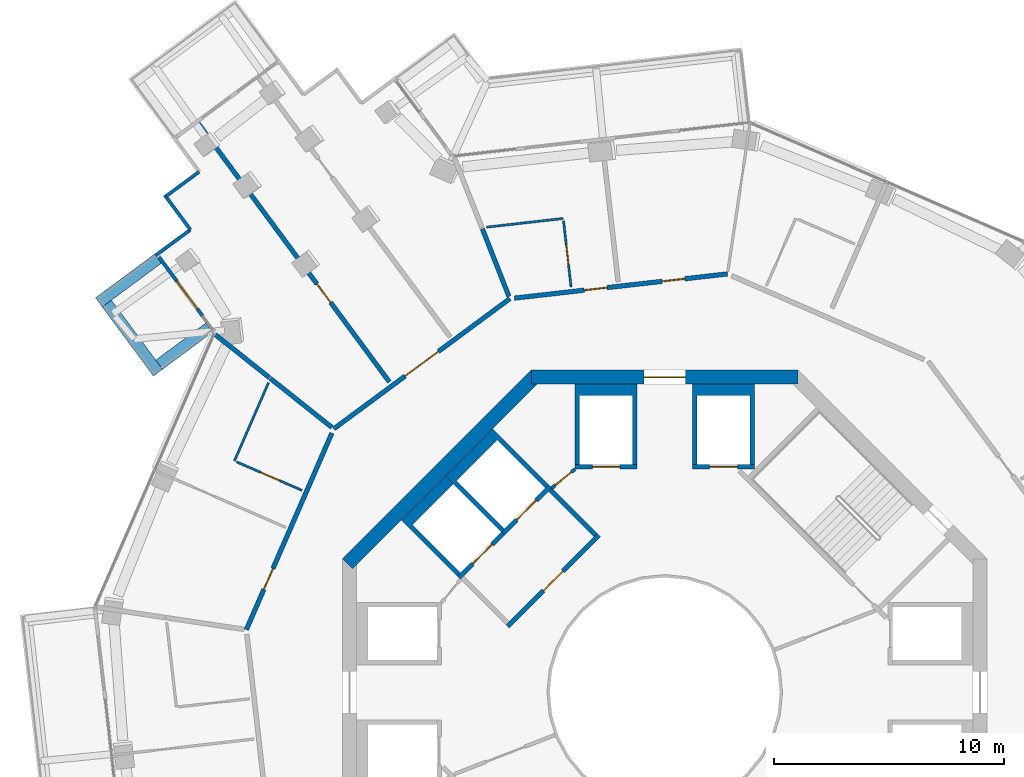
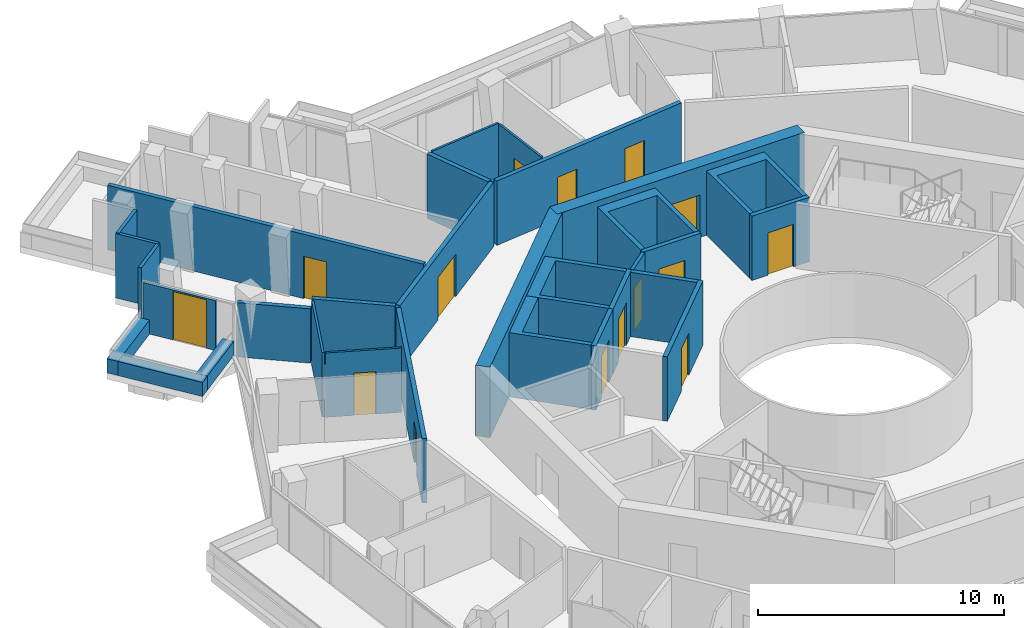
# One storey, part 18 of 23: 31 walls, 15 doors, 15 openings.
"""IFC4 building model written with IfcOpenShell, lengths in metres."""

from ifc_helpers import new_model, si_unit, direction, frame, frame_2d, origin, place, context, subcontext, project, spatial, polyline, rectangle, outline, extrude, material, layer, layer_set, type_object, element, fill, save


model = new_model("IFC4")

# Units and contexts
model_context = context("Model", 3, precision=1e-05, world=origin(), true_north=direction((0.0, 1.0)))
body_context = subcontext(model_context, "Body", "Model", "MODEL_VIEW")
ifc_project = project(units=[si_unit("LENGTHUNIT", "METRE"), si_unit("AREAUNIT", "SQUARE_METRE"), si_unit("VOLUMEUNIT", "CUBIC_METRE"), si_unit("PLANEANGLEUNIT", "RADIAN"), si_unit("MASSUNIT", "GRAM", prefix="KILO")], contexts=[model_context])

# Site, building, storey
site_placement = place(None, origin())
site = spatial("IfcSite", under=ifc_project, at=site_placement, CompositionType="ELEMENT")
building_placement = place(site_placement, origin())
building = spatial("IfcBuilding", under=site, at=building_placement, Name="Verdalira Terraces Hotel", CompositionType="ELEMENT")
storey_placement = place(building_placement, frame((0.0, 0.0, 183.5)))
storey = spatial("IfcBuildingStorey", under=building, at=storey_placement, Name="L44", CompositionType="ELEMENT", Elevation=183.5)

# Walls
ifc_material_1 = material(Name="Concrete C40", Category="concrete")
ifc_layer_1 = layer(ifc_material_1, 0.5)
ifc_layer_set_1 = layer_set([ifc_layer_1], Name="Balcony planter trough with tree")
wall_type_1 = type_object("IfcWallType", Name="Balcony planter trough with tree", PredefinedType="SOLIDWALL", material=ifc_layer_set_1)
wall_1_placement = place(storey_placement, frame((-22.020996, 18.846924, 0.0), z_axis=(0.0, 0.0, 1.0), x_axis=(-0.804020677, -0.594601338, 0.0)))
element("IfcWall", 1, at=wall_1_placement, inside=storey, type_object=wall_type_1, Name="Balcony planter", PredefinedType="SOLIDWALL", context=body_context, shape_type="SweptSolid", body=[
    extrude(rectangle(XDim=3.198975, YDim=0.5, at=frame_2d((1.599609, 0.0))), origin(), (0.0, 0.0, 1.0), 0.699951),
])
wall_2_placement = place(storey_placement, frame((-24.243408, 16.892578, 0.0), z_axis=(0.0, 0.0, 1.0), x_axis=(0.594510416, -0.804087909, 0.0)))
element("IfcWall", 2, at=wall_2_placement, inside=storey, type_object=wall_type_1, Name="Balcony planter", PredefinedType="SOLIDWALL", context=body_context, shape_type="SweptSolid", body=[
    extrude(rectangle(XDim=3.738281, YDim=0.5, at=frame_2d((1.869141, 0.0))), origin(), (0.0, 0.0, 1.0), 0.699951),
])
wall_3_placement = place(storey_placement, frame((-21.96875, 14.236572, 0.0), z_axis=(0.0, 0.0, 1.0), x_axis=(0.804127263, 0.594457185, 0.0)))
element("IfcWall", 3, at=wall_3_placement, inside=storey, type_object=wall_type_1, Name="Balcony planter", PredefinedType="SOLIDWALL", context=body_context, shape_type="SweptSolid", body=[
    extrude(rectangle(XDim=2.698975, YDim=0.5, at=frame_2d((1.349609, 0.0))), origin(), (0.0, 0.0, 1.0), 0.699951),
])
ifc_material_2 = material(Name="Moisture-resistant gypsum board partition")
ifc_layer_2 = layer(ifc_material_2, 0.10009765625)
ifc_layer_set_2 = layer_set([ifc_layer_2], Name="Bathroom partition 100 mm")
wall_type_2 = type_object("IfcWallType", Name="Bathroom partition 100 mm", PredefinedType="PARTITIONING", material=ifc_layer_set_2)
wall_4_placement = place(storey_placement, frame((-17.220703, 13.452148, 0.0), z_axis=(0.0, 0.0, 1.0), x_axis=(-0.399044236, -0.916931676, 0.0)))
element("IfcWall", 4, at=wall_4_placement, inside=storey, type_object=wall_type_2, Name="Bathroom partition", PredefinedType="PARTITIONING", context=body_context, shape_type="SweptSolid", body=[
    extrude(rectangle(XDim=3.703857, YDim=0.100098, at=frame_2d((1.852051, 0.0))), origin(), (0.0, 0.0, 1.0), 3.189941),
])

# Wall, opening, door
wall_5_placement = place(storey_placement, frame((-18.607178, 10.016113, 0.0), z_axis=(0.0, 0.0, 1.0), x_axis=(0.916902206, -0.399111945, 0.0)))
wall_5 = element("IfcWall", 5, at=wall_5_placement, inside=storey, type_object=wall_type_2, Name="Bathroom partition", PredefinedType="PARTITIONING", context=body_context, shape_type="SweptSolid", body=[
    extrude(rectangle(XDim=3.100098, YDim=0.100098, at=frame_2d((1.550049, 0.0))), origin(), (0.0, 0.0, 1.0), 3.189941),
])
opening_1_placement = place(wall_5_placement, frame((1.149902, 0.0, 0.0)))
opening_1 = element("IfcOpeningElement", 6, at=opening_1_placement, cuts=wall_5, Name="Opening L44-106", PredefinedType="OPENING", context=body_context, shape_type="SweptSolid", body=[
    extrude(rectangle(XDim=0.899902, YDim=2.100098, at=frame_2d((0.449951, 1.050049))), frame((0.0, 0.060059, 0.0), z_axis=(0.0, -1.0, 0.0), x_axis=(1.0, 0.0, 0.0)), (0.0, 0.0, 1.0), 0.120117),
])
ifc_material_3 = material(Name="Timber door", Category="wood")
door_type_1 = type_object("IfcDoorType", Name="Bathroom door 900 x 2100", OperationType="NOTDEFINED", PredefinedType="DOOR", material=ifc_material_3)
door_1_placement = place(opening_1_placement, origin())
door_1 = element("IfcDoor", 7, at=door_1_placement, inside=storey, type_object=door_type_1, Name="Bathroom door 4402", OperationType="SINGLE_SWING_LEFT", OverallHeight=2.10009765625, OverallWidth=0.89990234375, PredefinedType="DOOR", context=body_context, shape_type="SweptSolid", body=[
    extrude(rectangle(XDim=0.899902, YDim=2.100098, at=frame_2d((0.449951, 1.050049))), frame((0.0, 0.024902, 0.0), z_axis=(0.0, -1.0, 0.0), x_axis=(1.0, 0.0, 0.0)), (0.0, 0.0, 1.0), 0.050049),
])
fill(opening_1, door_1)

# Wall
wall_6_placement = place(storey_placement, frame((-7.739502, 20.214111, 0.0), z_axis=(0.0, 0.0, 1.0), x_axis=(0.993617882, 0.11279851, 0.0)))
element("IfcWall", 8, at=wall_6_placement, inside=storey, type_object=wall_type_2, Name="Bathroom partition", PredefinedType="PARTITIONING", context=body_context, shape_type="SweptSolid", body=[
    extrude(rectangle(XDim=3.350586, YDim=0.100098, at=frame_2d((1.675293, 0.0))), origin(), (0.0, 0.0, 1.0), 3.189941),
])

# Wall, opening, door
wall_7_placement = place(storey_placement, frame((-4.072021, 17.611328, 0.0), z_axis=(0.0, 0.0, 1.0), x_axis=(-0.1128058, 0.993617055, 0.0)))
wall_7 = element("IfcWall", 9, at=wall_7_placement, inside=storey, type_object=wall_type_2, Name="Bathroom partition", PredefinedType="PARTITIONING", context=body_context, shape_type="SweptSolid", body=[
    extrude(rectangle(XDim=2.900146, YDim=0.100098, at=frame_2d((1.450195, 0.0))), origin(), (0.0, 0.0, 1.0), 3.189941),
])
opening_2_placement = place(wall_7_placement, frame((0.949951, 0.0, 0.0)))
opening_2 = element("IfcOpeningElement", 10, at=opening_2_placement, cuts=wall_7, Name="Opening L44-131", PredefinedType="OPENING", context=body_context, shape_type="SweptSolid", body=[
    extrude(rectangle(XDim=0.899902, YDim=2.100098, at=frame_2d((0.449951, 1.050049))), frame((0.0, 0.060059, 0.0), z_axis=(0.0, -1.0, 0.0), x_axis=(1.0, 0.0, 0.0)), (0.0, 0.0, 1.0), 0.120117),
])
door_2_placement = place(opening_2_placement, origin())
door_2 = element("IfcDoor", 11, at=door_2_placement, inside=storey, type_object=door_type_1, Name="Bathroom door 4411", OperationType="SINGLE_SWING_RIGHT", OverallHeight=2.10009765625, OverallWidth=0.89990234375, PredefinedType="DOOR", context=body_context, shape_type="SweptSolid", body=[
    extrude(rectangle(XDim=0.899902, YDim=2.100098, at=frame_2d((0.449951, 1.050049))), frame((0.0, 0.024902, 0.0), z_axis=(0.0, -1.0, 0.0), x_axis=(1.0, 0.0, 0.0)), (0.0, 0.0, 1.0), 0.050049),
])
fill(opening_2, door_2)

# Wall
ifc_material_4 = material(Name="Concrete C50", Category="concrete")
ifc_layer_3 = layer(ifc_material_4, 0.199951171875)
ifc_layer_set_3 = layer_set([ifc_layer_3], Name="Core RC wall 200 C50")
wall_type_3 = type_object("IfcWallType", Name="Core RC wall 200 C50", PredefinedType="SOLIDWALL", material=ifc_layer_set_3)
wall_8_placement = place(storey_placement, origin())
element("IfcWall", 12, at=wall_8_placement, inside=storey, type_object=wall_type_3, Name="L44 shaft wall N1", PredefinedType="SOLIDWALL", context=body_context, shape_type="SweptSolid", body=[
    extrude(outline(polyline([(3.899902, 9.899902), (3.699951, 9.899902), (3.699951, 12.899902), (1.399902, 12.899902), (1.399902, 9.899902), (1.199951, 9.899902), (1.199951, 13.399902), (3.899902, 13.399902), (3.899902, 9.899902)])), origin(), (0.0, 0.0, 1.0), 3.189941),
])

# Wall, opening, door
wall_9_placement = place(storey_placement, frame((1.199951, 9.800049, 0.0), z_axis=(0.0, 0.0, 1.0), x_axis=(1.0, 0.0, 0.0)))
wall_9 = element("IfcWall", 13, at=wall_9_placement, inside=storey, type_object=wall_type_3, Name="L44 shaft front wall N1", PredefinedType="SOLIDWALL", context=body_context, shape_type="SweptSolid", body=[
    extrude(rectangle(XDim=2.699951, YDim=0.199951, at=frame_2d((1.350098, 0.0))), origin(), (0.0, 0.0, 1.0), 3.189941),
])
opening_3_placement = place(wall_9_placement, frame((0.75, 0.0, 0.0)))
opening_3 = element("IfcOpeningElement", 14, at=opening_3_placement, cuts=wall_9, Name="Opening LD-L44-804", PredefinedType="OPENING", context=body_context, shape_type="SweptSolid", body=[
    extrude(rectangle(XDim=1.199951, YDim=2.100098, at=frame_2d((0.600098, 1.050049))), frame((0.0, 0.109863, 0.0), z_axis=(0.0, -1.0, 0.0), x_axis=(1.0, 0.0, 0.0)), (0.0, 0.0, 1.0), 0.219971),
])
ifc_material_5 = material(Name="Stainless steel", Category="steel")
door_type_2 = type_object("IfcDoorType", Name="Landing door 1200 x 2100", OperationType="NOTDEFINED", PredefinedType="DOOR", material=ifc_material_5)
door_3_placement = place(opening_3_placement, origin())
door_3 = element("IfcDoor", 15, at=door_3_placement, inside=storey, type_object=door_type_2, Name="Lift landing door HR3 L44", OperationType="DOUBLE_DOOR_SLIDING", OverallHeight=2.10009765625, OverallWidth=1.199951171875, PredefinedType="DOOR", context=body_context, shape_type="SweptSolid", body=[
    extrude(rectangle(XDim=1.199951, YDim=2.100098, at=frame_2d((0.600098, 1.050049))), frame((0.0, 0.024902, 0.0), z_axis=(0.0, -1.0, 0.0), x_axis=(1.0, 0.0, 0.0)), (0.0, 0.0, 1.0), 0.050049),
])
fill(opening_3, door_3)

# Wall
wall_10_placement = place(storey_placement, origin())
element("IfcWall", 16, at=wall_10_placement, inside=storey, type_object=wall_type_3, Name="L44 shaft wall N2", PredefinedType="SOLIDWALL", context=body_context, shape_type="SweptSolid", body=[
    extrude(outline(polyline([(-3.899902, 13.399902), (-1.199951, 13.399902), (-1.199951, 9.899902), (-1.399902, 9.899902), (-1.399902, 12.899902), (-3.699951, 12.899902), (-3.699951, 9.899902), (-3.899902, 9.899902), (-3.899902, 13.399902)])), origin(), (0.0, 0.0, 1.0), 3.189941),
])

# Wall, opening, door
wall_11_placement = place(storey_placement, frame((-1.199951, 9.800049, 0.0), z_axis=(0.0, 0.0, 1.0), x_axis=(-1.0, 0.0, 0.0)))
wall_11 = element("IfcWall", 17, at=wall_11_placement, inside=storey, type_object=wall_type_3, Name="L44 shaft front wall N2", PredefinedType="SOLIDWALL", context=body_context, shape_type="SweptSolid", body=[
    extrude(rectangle(XDim=2.699951, YDim=0.199951, at=frame_2d((1.350098, 0.0))), origin(), (0.0, 0.0, 1.0), 3.189941),
])
opening_4_placement = place(wall_11_placement, frame((0.75, 0.0, 0.0)))
opening_4 = element("IfcOpeningElement", 18, at=opening_4_placement, cuts=wall_11, Name="Opening LD-L44-805", PredefinedType="OPENING", context=body_context, shape_type="SweptSolid", body=[
    extrude(rectangle(XDim=1.199951, YDim=2.100098, at=frame_2d((0.600098, 1.050049))), frame((0.0, 0.109863, 0.0), z_axis=(0.0, -1.0, 0.0), x_axis=(1.0, 0.0, 0.0)), (0.0, 0.0, 1.0), 0.219971),
])
door_4_placement = place(opening_4_placement, origin())
door_4 = element("IfcDoor", 19, at=door_4_placement, inside=storey, type_object=door_type_2, Name="Lift landing door HR4 L44", OperationType="DOUBLE_DOOR_SLIDING", OverallHeight=2.10009765625, OverallWidth=1.199951171875, PredefinedType="DOOR", context=body_context, shape_type="SweptSolid", body=[
    extrude(rectangle(XDim=1.199951, YDim=2.100098, at=frame_2d((0.600098, 1.050049))), frame((0.0, 0.024902, 0.0), z_axis=(0.0, -1.0, 0.0), x_axis=(1.0, 0.0, 0.0)), (0.0, 0.0, 1.0), 0.050049),
])
fill(opening_4, door_4)

# Wall
wall_12_placement = place(storey_placement, origin())
element("IfcWall", 20, at=wall_12_placement, inside=storey, type_object=wall_type_3, Name="L44 shaft wall F1", PredefinedType="SOLIDWALL", context=body_context, shape_type="SweptSolid", body=[
    extrude(outline(polyline([(-9.545898, 9.404541), (-7.495361, 11.455078), (-5.055908, 9.015625), (-5.197266, 8.874268), (-7.283203, 10.960205), (-9.051025, 9.192383), (-6.965088, 7.106445), (-7.106445, 6.965088), (-9.545898, 9.404541)])), origin(), (0.0, 0.0, 1.0), 3.189941),
])

# Wall, opening, door
wall_13_placement = place(storey_placement, frame((-4.985107, 8.944824, 0.0), z_axis=(0.0, 0.0, 1.0), x_axis=(-0.707106781, -0.707106781, 0.0)))
wall_13 = element("IfcWall", 21, at=wall_13_placement, inside=storey, type_object=wall_type_3, Name="L44 shaft front wall F1", PredefinedType="SOLIDWALL", context=body_context, shape_type="SweptSolid", body=[
    extrude(rectangle(XDim=2.899902, YDim=0.199951, at=frame_2d((1.449951, 0.0))), origin(), (0.0, 0.0, 1.0), 3.189941),
])
opening_5_placement = place(wall_13_placement, frame((0.850098, 0.0, 0.0)))
opening_5 = element("IfcOpeningElement", 22, at=opening_5_placement, cuts=wall_13, Name="Opening LD-L44-808", PredefinedType="OPENING", context=body_context, shape_type="SweptSolid", body=[
    extrude(rectangle(XDim=1.199951, YDim=2.100098, at=frame_2d((0.600098, 1.050049))), frame((0.0, 0.109863, 0.0), z_axis=(0.0, -1.0, 0.0), x_axis=(1.0, 0.0, 0.0)), (0.0, 0.0, 1.0), 0.219971),
])
door_5_placement = place(opening_5_placement, origin())
door_5 = element("IfcDoor", 23, at=door_5_placement, inside=storey, type_object=door_type_2, Name="Lift landing door LF11 L44", OperationType="DOUBLE_DOOR_SLIDING", OverallHeight=2.10009765625, OverallWidth=1.199951171875, PredefinedType="DOOR", context=body_context, shape_type="SweptSolid", body=[
    extrude(rectangle(XDim=1.199951, YDim=2.100098, at=frame_2d((0.600098, 1.050049))), frame((0.0, 0.024902, 0.0), z_axis=(0.0, -1.0, 0.0), x_axis=(1.0, 0.0, 0.0)), (0.0, 0.0, 1.0), 0.050049),
])
fill(opening_5, door_5)

# Wall
wall_14_placement = place(storey_placement, origin())
element("IfcWall", 24, at=wall_14_placement, inside=storey, type_object=wall_type_3, Name="L44 shaft wall F2", PredefinedType="SOLIDWALL", context=body_context, shape_type="SweptSolid", body=[
    extrude(outline(polyline([(-11.455078, 7.495361), (-9.545898, 9.404541), (-9.192383, 9.051025), (-10.960205, 7.283203), (-8.874268, 5.197266), (-9.015625, 5.055908), (-11.455078, 7.495361)])), origin(), (0.0, 0.0, 1.0), 3.189941),
])

# Wall, opening, door
wall_15_placement = place(storey_placement, frame((-7.035645, 6.894287, 0.0), z_axis=(0.0, 0.0, 1.0), x_axis=(-0.707106781, -0.707106781, 0.0)))
wall_15 = element("IfcWall", 25, at=wall_15_placement, inside=storey, type_object=wall_type_3, Name="L44 shaft front wall F2", PredefinedType="SOLIDWALL", context=body_context, shape_type="SweptSolid", body=[
    extrude(rectangle(XDim=2.699951, YDim=0.199951, at=frame_2d((1.350098, 0.0))), origin(), (0.0, 0.0, 1.0), 3.189941),
])
opening_6_placement = place(wall_15_placement, frame((0.649902, 0.0, 0.0)))
opening_6 = element("IfcOpeningElement", 26, at=opening_6_placement, cuts=wall_15, Name="Opening LD-L44-809", PredefinedType="OPENING", context=body_context, shape_type="SweptSolid", body=[
    extrude(rectangle(XDim=1.199951, YDim=2.100098, at=frame_2d((0.600098, 1.050049))), frame((0.0, 0.109863, 0.0), z_axis=(0.0, -1.0, 0.0), x_axis=(1.0, 0.0, 0.0)), (0.0, 0.0, 1.0), 0.219971),
])
door_6_placement = place(opening_6_placement, origin())
door_6 = element("IfcDoor", 27, at=door_6_placement, inside=storey, type_object=door_type_2, Name="Lift landing door LF12 L44", OperationType="DOUBLE_DOOR_SLIDING", OverallHeight=2.10009765625, OverallWidth=1.199951171875, PredefinedType="DOOR", context=body_context, shape_type="SweptSolid", body=[
    extrude(rectangle(XDim=1.199951, YDim=2.100098, at=frame_2d((0.600098, 1.050049))), frame((0.0, 0.024902, 0.0), z_axis=(0.0, -1.0, 0.0), x_axis=(1.0, 0.0, 0.0)), (0.0, 0.0, 1.0), 0.050049),
])
fill(opening_6, door_6)

wall_16_placement = place(storey_placement, frame((-2.86377, 6.823486, 0.0), z_axis=(0.0, 0.0, 1.0), x_axis=(-0.707106781, -0.707106781, 0.0)))
wall_16 = element("IfcWall", 28, at=wall_16_placement, inside=storey, type_object=wall_type_3, Name="L44 fire lobby wall", PredefinedType="SOLIDWALL", context=body_context, shape_type="SweptSolid", body=[
    extrude(rectangle(XDim=5.599854, YDim=0.199951, at=frame_2d((2.799805, 0.0))), origin(), (0.0, 0.0, 1.0), 3.189941),
])
opening_7_placement = place(wall_16_placement, frame((2.199951, 0.0, 0.0)))
opening_7 = element("IfcOpeningElement", 29, at=opening_7_placement, cuts=wall_16, Name="Opening L44-819", PredefinedType="OPENING", context=body_context, shape_type="SweptSolid", body=[
    extrude(rectangle(XDim=1.199951, YDim=2.100098, at=frame_2d((0.600098, 1.050049))), frame((0.0, 0.109863, 0.0), z_axis=(0.0, -1.0, 0.0), x_axis=(1.0, 0.0, 0.0)), (0.0, 0.0, 1.0), 0.219971),
])
ifc_material_6 = material(Name="Steel fire door", Category="steel")
door_type_3 = type_object("IfcDoorType", Name="Lobby door 1200 x 2100", OperationType="NOTDEFINED", PredefinedType="DOOR", material=ifc_material_6)
door_7_placement = place(opening_7_placement, origin())
door_7 = element("IfcDoor", 30, at=door_7_placement, inside=storey, type_object=door_type_3, Name="Fire lobby door L44", OperationType="SINGLE_SWING_LEFT", OverallHeight=2.10009765625, OverallWidth=1.199951171875, PredefinedType="DOOR", context=body_context, shape_type="SweptSolid", body=[
    extrude(rectangle(XDim=1.199951, YDim=2.100098, at=frame_2d((0.600098, 1.050049))), frame((0.0, 0.024902, 0.0), z_axis=(0.0, -1.0, 0.0), x_axis=(1.0, 0.0, 0.0)), (0.0, 0.0, 1.0), 0.050049),
])
fill(opening_7, door_7)

# Wall
wall_17_placement = place(storey_placement, frame((-3.005127, 6.823486, 0.0), z_axis=(0.0, 0.0, 1.0), x_axis=(-0.707106781, 0.707106781, 0.0)))
element("IfcWall", 31, at=wall_17_placement, inside=storey, type_object=wall_type_3, Name="L44 fire lobby wall", PredefinedType="SOLIDWALL", context=body_context, shape_type="SweptSolid", body=[
    extrude(rectangle(XDim=2.800049, YDim=0.199951, at=frame_2d((1.399902, 0.0))), origin(), (0.0, 0.0, 1.0), 3.189941),
])

# Wall, opening, door
ifc_material_7 = material(Name="Gypsum board partition")
ifc_layer_4 = layer(ifc_material_7, 0.14990234375)
ifc_layer_set_4 = layer_set([ifc_layer_4], Name="Core partition 150 mm")
wall_type_4 = type_object("IfcWallType", Name="Core partition 150 mm", PredefinedType="PARTITIONING", material=ifc_layer_set_4)
wall_18_placement = place(storey_placement, frame((-3.899902, 9.699951, 0.0), z_axis=(0.0, 0.0, 1.0), x_axis=(-0.775559878, -0.631274009, 0.0)))
wall_18 = element("IfcWall", 32, at=wall_18_placement, inside=storey, type_object=wall_type_4, Name="Room partition L44", PredefinedType="PARTITIONING", context=body_context, shape_type="SweptSolid", body=[
    extrude(rectangle(XDim=1.307861, YDim=0.149902, at=frame_2d((0.653809, 0.0))), origin(), (0.0, 0.0, 1.0), 3.189941),
])
opening_8_placement = place(wall_18_placement, frame((0.204102, 0.0, 0.0)))
opening_8 = element("IfcOpeningElement", 33, at=opening_8_placement, cuts=wall_18, Name="Opening L44-820", PredefinedType="OPENING", context=body_context, shape_type="SweptSolid", body=[
    extrude(rectangle(XDim=0.899902, YDim=2.100098, at=frame_2d((0.449951, 1.050049))), frame((0.0, 0.084961, 0.0), z_axis=(0.0, -1.0, 0.0), x_axis=(1.0, 0.0, 0.0)), (0.0, 0.0, 1.0), 0.169922),
])
ifc_material_8 = material(Name="Steel fire door", Category="steel")
door_type_4 = type_object("IfcDoorType", Name="Core room door 900 x 2100", OperationType="NOTDEFINED", PredefinedType="DOOR", material=ifc_material_8)
door_8_placement = place(opening_8_placement, origin())
door_8 = element("IfcDoor", 34, at=door_8_placement, inside=storey, type_object=door_type_4, Name="Door L44 room2", OperationType="SINGLE_SWING_LEFT", OverallHeight=2.10009765625, OverallWidth=0.89990234375, PredefinedType="DOOR", context=body_context, shape_type="SweptSolid", body=[
    extrude(rectangle(XDim=0.899902, YDim=2.100098, at=frame_2d((0.449951, 1.050049))), frame((0.0, 0.024902, 0.0), z_axis=(0.0, -1.0, 0.0), x_axis=(1.0, 0.0, 0.0)), (0.0, 0.0, 1.0), 0.050049),
])
fill(opening_8, door_8)

ifc_material_9 = material(Name="Concrete C60", Category="concrete")
ifc_layer_5 = layer(ifc_material_9, 0.60009765625)
ifc_layer_set_5 = layer_set([ifc_layer_5], Name="Core wall 600 C60")
wall_type_5 = type_object("IfcWallType", Name="Core wall 600 C60", PredefinedType="SHEAR", material=ifc_layer_set_5)
wall_19_placement = place(storey_placement, frame((5.799072, 13.699951, 0.0), z_axis=(0.0, 0.0, 1.0), x_axis=(-1.0, 0.0, 0.0)))
wall_19 = element("IfcWall", 35, at=wall_19_placement, inside=storey, type_object=wall_type_5, Name="Core wall CW-L44-3", PredefinedType="SHEAR", context=body_context, shape_type="SweptSolid", body=[
    extrude(rectangle(XDim=11.598145, YDim=0.600098, at=frame_2d((5.799072, 0.0))), origin(), (0.0, 0.0, 1.0), 3.5),
])
opening_9_placement = place(wall_19_placement, frame((4.898926, 0.0, 0.0)))
opening_9 = element("IfcOpeningElement", 36, at=opening_9_placement, cuts=wall_19, Name="Opening L44-814", PredefinedType="OPENING", context=body_context, shape_type="SweptSolid", body=[
    extrude(rectangle(XDim=1.800049, YDim=2.100098, at=frame_2d((0.899902, 1.050049))), frame((0.0, 0.310059, 0.0), z_axis=(0.0, -1.0, 0.0), x_axis=(1.0, 0.0, 0.0)), (0.0, 0.0, 1.0), 0.620117),
])
ifc_material_10 = material(Name="Steel fire door", Category="steel")
door_type_5 = type_object("IfcDoorType", Name="Core entry door pair 1800 x 2100", OperationType="NOTDEFINED", PredefinedType="DOOR", material=ifc_material_10)
door_9_placement = place(opening_9_placement, origin())
door_9 = element("IfcDoor", 37, at=door_9_placement, inside=storey, type_object=door_type_5, Name="Core entry door L44 2", OperationType="DOUBLE_DOOR_SINGLE_SWING", OverallHeight=2.10009765625, OverallWidth=1.800048828125, PredefinedType="DOOR", context=body_context, shape_type="SweptSolid", body=[
    extrude(rectangle(XDim=1.800049, YDim=2.100098, at=frame_2d((0.899902, 1.050049))), frame((0.0, 0.024902, 0.0), z_axis=(0.0, -1.0, 0.0), x_axis=(1.0, 0.0, 0.0)), (0.0, 0.0, 1.0), 0.050049),
])
fill(opening_9, door_9)

# Wall
wall_20_placement = place(storey_placement, frame((-5.586914, 13.787842, 0.0), z_axis=(0.0, 0.0, 1.0), x_axis=(-0.707106781, -0.707106781, 0.0)))
element("IfcWall", 38, at=wall_20_placement, inside=storey, type_object=wall_type_5, Name="Core wall CW-L44-4", PredefinedType="SHEAR", context=body_context, shape_type="SweptSolid", body=[
    extrude(rectangle(XDim=11.5979, YDim=0.600098, at=frame_2d((5.798828, 0.0))), origin(), (0.0, 0.0, 1.0), 3.5),
])

# Wall, opening, door
ifc_material_11 = material(Name="Fire-rated gypsum board wall")
ifc_layer_6 = layer(ifc_material_11, 0.199951171875)
ifc_layer_set_6 = layer_set([ifc_layer_6], Name="Demising wall 200 mm")
wall_type_6 = type_object("IfcWallType", Name="Demising wall 200 mm", PredefinedType="SOLIDWALL", material=ifc_layer_set_6)
wall_21_placement = place(storey_placement, frame((-11.964844, 13.487305, 0.0), z_axis=(0.0, 0.0, 1.0), x_axis=(-0.594549069, 0.804059329, 0.0)))
wall_21 = element("IfcWall", 39, at=wall_21_placement, inside=storey, type_object=wall_type_6, Name="Demising wall", PredefinedType="SOLIDWALL", context=body_context, shape_type="SweptSolid", body=[
    extrude(rectangle(XDim=13.988281, YDim=0.199951, at=frame_2d((6.994141, 0.0))), origin(), (0.0, 0.0, 1.0), 3.189941),
])
opening_10_placement = place(wall_21_placement, frame((4.300049, 0.0, 0.0)))
opening_10 = element("IfcOpeningElement", 40, at=opening_10_placement, cuts=wall_21, Name="Opening L44-103", PredefinedType="OPENING", context=body_context, shape_type="SweptSolid", body=[
    extrude(rectangle(XDim=1.0, YDim=2.100098, at=frame_2d((0.5, 1.050049))), frame((0.0, 0.109863, 0.0), z_axis=(0.0, -1.0, 0.0), x_axis=(1.0, 0.0, 0.0)), (0.0, 0.0, 1.0), 0.219971),
])
ifc_material_12 = material(Name="Timber fire door", Category="wood")
door_type_6 = type_object("IfcDoorType", Name="Public room door 1000 x 2100", OperationType="NOTDEFINED", PredefinedType="DOOR", material=ifc_material_12)
door_10_placement = place(opening_10_placement, origin())
door_10 = element("IfcDoor", 41, at=door_10_placement, inside=storey, type_object=door_type_6, Name="Public room door 4401", OperationType="SINGLE_SWING_LEFT", OverallHeight=2.10009765625, OverallWidth=1.0, PredefinedType="DOOR", context=body_context, shape_type="SweptSolid", body=[
    extrude(rectangle(XDim=1.0, YDim=2.100098, at=frame_2d((0.5, 1.050049))), frame((0.0, 0.024902, 0.0), z_axis=(0.0, -1.0, 0.0), x_axis=(1.0, 0.0, 0.0)), (0.0, 0.0, 1.0), 0.050049),
])
fill(opening_10, door_10)

# Walls
wall_22_placement = place(storey_placement, frame((-14.465088, 11.514404, 0.0), z_axis=(0.0, 0.0, 1.0), x_axis=(-0.782399362, 0.622777037, 0.0)))
element("IfcWall", 42, at=wall_22_placement, inside=storey, type_object=wall_type_6, Name="Demising wall", PredefinedType="SOLIDWALL", context=body_context, shape_type="SweptSolid", body=[
    extrude(rectangle(XDim=3.418457, YDim=0.199951, at=frame_2d((1.709229, 0.0))), origin(), (0.0, 0.0, 1.0), 3.189941),
])
wall_23_placement = place(storey_placement, frame((-7.92749, 20.145996, 0.0), z_axis=(0.0, 0.0, 1.0), x_axis=(0.366125405, -0.93056552, 0.0)))
element("IfcWall", 43, at=wall_23_placement, inside=storey, type_object=wall_type_6, Name="Demising wall", PredefinedType="SOLIDWALL", context=body_context, shape_type="SweptSolid", body=[
    extrude(rectangle(XDim=3.161377, YDim=0.199951, at=frame_2d((1.580566, 0.0))), origin(), (0.0, 0.0, 1.0), 3.189941),
])
ifc_material_13 = material(Name="Fire-rated gypsum board wall")
ifc_layer_7 = layer(ifc_material_13, 0.199951171875)
ifc_layer_set_7 = layer_set([ifc_layer_7], Name="Demising wall 200 mm to beam soffit")
wall_type_7 = type_object("IfcWallType", Name="Demising wall 200 mm to beam soffit", PredefinedType="SOLIDWALL", material=ifc_layer_set_7)
wall_24_placement = place(storey_placement, frame((-17.175537, 13.671875, 0.0), z_axis=(0.0, 0.0, 1.0), x_axis=(-0.782400841, 0.62277518, 0.0)))
element("IfcWall", 44, at=wall_24_placement, inside=storey, type_object=wall_type_7, Name="Demising wall", PredefinedType="SOLIDWALL", context=body_context, shape_type="SweptSolid", body=[
    extrude(rectangle(XDim=3.011475, YDim=0.199951, at=frame_2d((1.505859, 0.0))), origin(), (0.0, 0.0, 1.0), 2.689941),
])

# Wall, opening, door
ifc_material_14 = material(Name="Fire-rated gypsum board wall")
ifc_layer_8 = layer(ifc_material_14, 0.199951171875)
ifc_layer_set_8 = layer_set([ifc_layer_8], Name="Guest corridor wall 200 mm")
wall_type_8 = type_object("IfcWallType", Name="Guest corridor wall 200 mm", PredefinedType="SOLIDWALL", material=ifc_layer_set_8)
wall_25_placement = place(storey_placement, frame((-18.181885, 2.723877, 0.0), z_axis=(0.0, 0.0, 1.0), x_axis=(0.399077747, 0.916917091, 0.0)))
wall_25 = element("IfcWall", 45, at=wall_25_placement, inside=storey, type_object=wall_type_8, Name="Guest corridor wall", PredefinedType="SOLIDWALL", context=body_context, shape_type="SweptSolid", body=[
    extrude(rectangle(XDim=9.316406, YDim=0.199951, at=frame_2d((4.658203, 0.0))), origin(), (0.0, 0.0, 1.0), 3.189941),
])
opening_11_placement = place(wall_25_placement, frame((1.899902, 0.0, 0.0)))
opening_11 = element("IfcOpeningElement", 46, at=opening_11_placement, cuts=wall_25, Name="Opening L44-104", PredefinedType="OPENING", context=body_context, shape_type="SweptSolid", body=[
    extrude(rectangle(XDim=1.0, YDim=2.100098, at=frame_2d((0.5, 1.050049))), frame((0.0, 0.109863, 0.0), z_axis=(0.0, -1.0, 0.0), x_axis=(1.0, 0.0, 0.0)), (0.0, 0.0, 1.0), 0.219971),
])
ifc_material_15 = material(Name="Timber fire door", Category="wood")
door_type_7 = type_object("IfcDoorType", Name="Guest entry door 1000 x 2100", OperationType="NOTDEFINED", PredefinedType="DOOR", material=ifc_material_15)
door_11_placement = place(opening_11_placement, origin())
door_11 = element("IfcDoor", 47, at=door_11_placement, inside=storey, type_object=door_type_7, Name="Guest entry door 4402", OperationType="SINGLE_SWING_LEFT", OverallHeight=2.10009765625, OverallWidth=1.0, PredefinedType="DOOR", context=body_context, shape_type="SweptSolid", body=[
    extrude(rectangle(XDim=1.0, YDim=2.100098, at=frame_2d((0.5, 1.050049))), frame((0.0, 0.024902, 0.0), z_axis=(0.0, -1.0, 0.0), x_axis=(1.0, 0.0, 0.0)), (0.0, 0.0, 1.0), 0.050049),
])
fill(opening_11, door_11)

wall_26_placement = place(storey_placement, frame((-14.384033, 11.449707, 0.0), z_axis=(0.0, 0.0, 1.0), x_axis=(0.804051366, 0.594559838, 0.0)))
wall_26 = element("IfcWall", 48, at=wall_26_placement, inside=storey, type_object=wall_type_8, Name="Guest corridor wall", PredefinedType="SOLIDWALL", context=body_context, shape_type="SweptSolid", body=[
    extrude(rectangle(XDim=9.516602, YDim=0.199951, at=frame_2d((4.758301, 0.0))), origin(), (0.0, 0.0, 1.0), 3.189941),
])
opening_12_placement = place(wall_26_placement, frame((3.856689, 0.0, 0.0)))
opening_12 = element("IfcOpeningElement", 49, at=opening_12_placement, cuts=wall_26, Name="Opening L44-101", PredefinedType="OPENING", context=body_context, shape_type="SweptSolid", body=[
    extrude(rectangle(XDim=1.800049, YDim=2.100098, at=frame_2d((0.899902, 1.050049))), frame((0.0, 0.109863, 0.0), z_axis=(0.0, -1.0, 0.0), x_axis=(1.0, 0.0, 0.0)), (0.0, 0.0, 1.0), 0.219971),
])
ifc_material_16 = material(Name="Timber fire door", Category="wood")
door_type_8 = type_object("IfcDoorType", Name="Public room double door 1800 x 2100", OperationType="NOTDEFINED", PredefinedType="DOOR", material=ifc_material_16)
door_12_placement = place(opening_12_placement, origin())
door_12 = element("IfcDoor", 50, at=door_12_placement, inside=storey, type_object=door_type_8, Name="Public room double door 4401", OperationType="DOUBLE_DOOR_SINGLE_SWING", OverallHeight=2.10009765625, OverallWidth=1.800048828125, PredefinedType="DOOR", context=body_context, shape_type="SweptSolid", body=[
    extrude(rectangle(XDim=1.800049, YDim=2.100098, at=frame_2d((0.899902, 1.050049))), frame((0.0, 0.024902, 0.0), z_axis=(0.0, -1.0, 0.0), x_axis=(1.0, 0.0, 0.0)), (0.0, 0.0, 1.0), 0.050049),
])
fill(opening_12, door_12)

# Wall, openings, doors
wall_27_placement = place(storey_placement, frame((-6.533203, 17.130371, 0.0), z_axis=(0.0, 0.0, 1.0), x_axis=(0.993610399, 0.112864414, 0.0)))
wall_27 = element("IfcWall", 51, at=wall_27_placement, inside=storey, type_object=wall_type_8, Name="Guest corridor wall", PredefinedType="SOLIDWALL", context=body_context, shape_type="SweptSolid", body=[
    extrude(rectangle(XDim=9.31665, YDim=0.199951, at=frame_2d((4.658203, 0.0))), origin(), (0.0, 0.0, 1.0), 3.189941),
])
opening_13_placement = place(wall_27_placement, frame((6.458252, 0.0, 0.0)))
opening_13 = element("IfcOpeningElement", 52, at=opening_13_placement, cuts=wall_27, Name="Opening L44-127", PredefinedType="OPENING", context=body_context, shape_type="SweptSolid", body=[
    extrude(rectangle(XDim=1.0, YDim=2.100098, at=frame_2d((0.5, 1.050049))), frame((0.0, 0.109863, 0.0), z_axis=(0.0, -1.0, 0.0), x_axis=(1.0, 0.0, 0.0)), (0.0, 0.0, 1.0), 0.219971),
])
opening_14_placement = place(wall_27_placement, frame((3.050049, 0.0, 0.0)))
opening_14 = element("IfcOpeningElement", 53, at=opening_14_placement, cuts=wall_27, Name="Opening L44-130", PredefinedType="OPENING", context=body_context, shape_type="SweptSolid", body=[
    extrude(rectangle(XDim=1.0, YDim=2.100098, at=frame_2d((0.5, 1.050049))), frame((0.0, 0.109863, 0.0), z_axis=(0.0, -1.0, 0.0), x_axis=(1.0, 0.0, 0.0)), (0.0, 0.0, 1.0), 0.219971),
])
door_13_placement = place(opening_13_placement, origin())
door_13 = element("IfcDoor", 54, at=door_13_placement, inside=storey, type_object=door_type_7, Name="Guest entry door 4410", OperationType="SINGLE_SWING_LEFT", OverallHeight=2.10009765625, OverallWidth=1.0, PredefinedType="DOOR", context=body_context, shape_type="SweptSolid", body=[
    extrude(rectangle(XDim=1.0, YDim=2.100098, at=frame_2d((0.5, 1.050049))), frame((0.0, 0.024902, 0.0), z_axis=(0.0, -1.0, 0.0), x_axis=(1.0, 0.0, 0.0)), (0.0, 0.0, 1.0), 0.050049),
])
fill(opening_13, door_13)
door_14_placement = place(opening_14_placement, origin())
door_14 = element("IfcDoor", 55, at=door_14_placement, inside=storey, type_object=door_type_7, Name="Guest entry door 4411", OperationType="SINGLE_SWING_RIGHT", OverallHeight=2.10009765625, OverallWidth=1.0, PredefinedType="DOOR", context=body_context, shape_type="SweptSolid", body=[
    extrude(rectangle(XDim=1.0, YDim=2.100098, at=frame_2d((0.5, 1.050049))), frame((0.0, 0.024902, 0.0), z_axis=(0.0, -1.0, 0.0), x_axis=(1.0, 0.0, 0.0)), (0.0, 0.0, 1.0), 0.050049),
])
fill(opening_14, door_14)

# Walls
ifc_material_17 = material(Name="Terracotta cladding", Category="masonry")
ifc_layer_9 = layer(ifc_material_17, 0.14990234375)
ifc_layer_set_9 = layer_set([ifc_layer_9], Name="Terracotta clad wall 150")
wall_type_9 = type_object("IfcWallType", Name="Terracotta clad wall 150", PredefinedType="SOLIDWALL", material=ifc_layer_set_9)
wall_28_placement = place(storey_placement, frame((-20.239502, 22.620361, 0.0), z_axis=(0.0, 0.0, 1.0), x_axis=(-0.804083106, -0.594516912, 0.0)))
element("IfcWall", 56, at=wall_28_placement, inside=storey, type_object=wall_type_9, Name="Terracotta cladding wall", PredefinedType="SOLIDWALL", context=body_context, shape_type="SweptSolid", body=[
    extrude(rectangle(XDim=1.799805, YDim=0.149902, at=frame_2d((0.899902, 0.0))), origin(), (0.0, 0.0, 1.0), 3.189941),
])
for number, where, z_axis, x_axis, name in (
    (57, (-21.731201, 21.610596, 0.0), (0.0, 0.0, 1.0), (0.594486239, -0.804105784, 0.0), "Terracotta cladding wall"),
    (58, (-20.616455, 20.102783, 0.0), (0.0, 0.0, 1.0), (-0.804105784, -0.594486239, 0.0), "Terracotta cladding wall"),
):
    element("IfcWall", number, at=place(storey_placement, frame(where, z_axis=z_axis, x_axis=x_axis)), inside=storey, type_object=wall_type_9, Name=name, PredefinedType="SOLIDWALL", context=body_context, shape_type="SweptSolid", body=[
        extrude(rectangle(XDim=1.875244, YDim=0.149902, at=frame_2d((0.9375, 0.0))), origin(), (0.0, 0.0, 1.0), 3.189941),
    ])

# Wall, opening, door
ifc_material_18 = material(Name="Terracotta cladding", Category="masonry")
ifc_layer_10 = layer(ifc_material_18, 0.14990234375)
ifc_layer_set_10 = layer_set([ifc_layer_10], Name="Terracotta door pier 150")
wall_type_10 = type_object("IfcWallType", Name="Terracotta door pier 150", PredefinedType="SOLIDWALL", material=ifc_layer_set_10)
wall_29_placement = place(storey_placement, frame((-21.977539, 18.916016, 0.0), z_axis=(0.0, 0.0, 1.0), x_axis=(0.594570692, -0.80404334, 0.0)))
wall_29 = element("IfcWall", 59, at=wall_29_placement, inside=storey, type_object=wall_type_10, Name="Terracotta door pier", PredefinedType="SOLIDWALL", context=body_context, shape_type="SweptSolid", body=[
    extrude(rectangle(XDim=3.209717, YDim=0.149902, at=frame_2d((1.60498, 0.0))), origin(), (0.0, 0.0, 1.0), 2.475098),
])
opening_15_placement = place(wall_29_placement, frame((1.310059, 0.0, 0.0)))
opening_15 = element("IfcOpeningElement", 60, at=opening_15_placement, cuts=wall_29, Name="Opening L44-B03", PredefinedType="OPENING", context=body_context, shape_type="SweptSolid", body=[
    extrude(rectangle(XDim=1.5, YDim=2.399902, at=frame_2d((0.75, 1.199951))), frame((0.0, 0.084961, 0.0), z_axis=(0.0, -1.0, 0.0), x_axis=(1.0, 0.0, 0.0)), (0.0, 0.0, 1.0), 0.169922),
])
ifc_material_19 = material(Name="Clear glass", Category="glass")
door_type_9 = type_object("IfcDoorType", Name="Balcony sliding door 1500x2400", OperationType="NOTDEFINED", PredefinedType="DOOR", material=ifc_material_19)
door_15_placement = place(opening_15_placement, origin())
door_15 = element("IfcDoor", 61, at=door_15_placement, inside=storey, type_object=door_type_9, Name="Balcony sliding door", OperationType="SLIDING_TO_LEFT", OverallHeight=2.39990234375, OverallWidth=1.5, PredefinedType="DOOR", context=body_context, shape_type="SweptSolid", body=[
    extrude(rectangle(XDim=1.5, YDim=2.399902, at=frame_2d((0.75, 1.199951))), frame((0.0, 0.024902, 0.0), z_axis=(0.0, -1.0, 0.0), x_axis=(1.0, 0.0, 0.0)), (0.0, 0.0, 1.0), 0.050049),
])
fill(opening_15, door_15)

save(model, "model.ifc")
